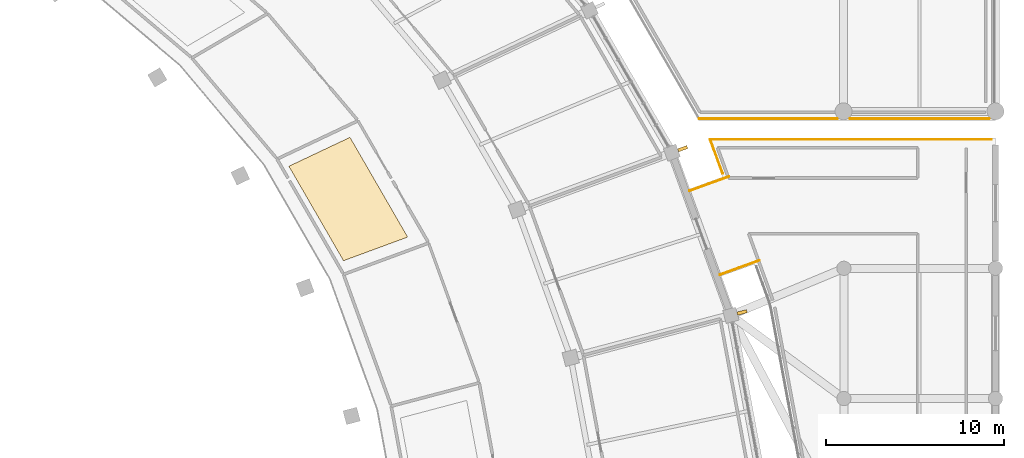
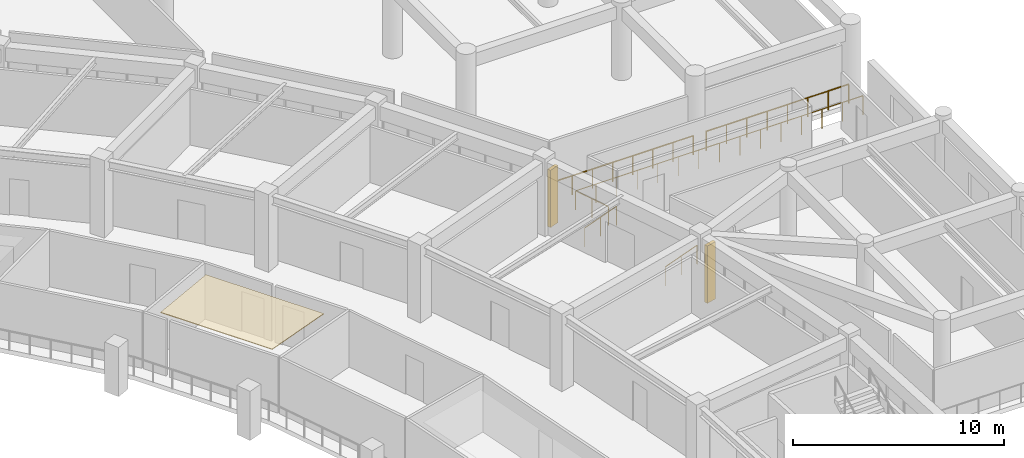
# One storey, part 131 of 141: 5 railings, 2 shading devices, 1 covering.
"""IFC4 building model written with IfcOpenShell, lengths in metres."""

from ifc_helpers import new_model, si_unit, direction, frame, origin, origin_2d, place, context, subcontext, project, spatial, polyline, rectangle, circle, outline, extrude, material, layer, layer_set, type_object, element, save


model = new_model("IFC4")

# Units and contexts
model_context = context("Model", 3, precision=1e-05, world=origin(), true_north=direction((0.0, 1.0)))
body_context = subcontext(model_context, "Body", "Model", "MODEL_VIEW")
ifc_project = project(units=[si_unit("LENGTHUNIT", "METRE"), si_unit("AREAUNIT", "SQUARE_METRE"), si_unit("VOLUMEUNIT", "CUBIC_METRE"), si_unit("PLANEANGLEUNIT", "RADIAN"), si_unit("MASSUNIT", "GRAM", prefix="KILO")], contexts=[model_context])

# Site, building, storey
site_placement = place(None, origin())
site = spatial("IfcSite", under=ifc_project, at=site_placement, CompositionType="ELEMENT")
building_placement = place(site_placement, origin())
building = spatial("IfcBuilding", under=site, at=building_placement, Name="Mphavela Belvedere Stadium", CompositionType="ELEMENT")
storey_placement = place(building_placement, frame((0.0, 0.0, 14.699951171875)))
storey = spatial("IfcBuildingStorey", under=building, at=storey_placement, Name="L03", CompositionType="ELEMENT", Elevation=14.699951171875)

# Covering
ifc_material_1 = material(Name="Perforated acoustic mineral ceiling tile")
ifc_layer = layer(ifc_material_1, 0.0400390625)
ifc_layer_set = layer_set([ifc_layer], Name="Perforated acoustic mineral ceiling tile")
covering_type = type_object("IfcCoveringType", Name="COV-CEILING-ACOUSTIC", PredefinedType="CEILING", material=ifc_layer_set)
covering_placement = place(storey_placement, frame((0.0, 0.0, 3.199951171875)))
element("IfcCovering", 1, at=covering_placement, inside=storey, type_object=covering_type, Name="Concourse acoustic ceiling L03-04", PredefinedType="CEILING", context=body_context, shape_type="SweptSolid", body=[
    extrude(outline(polyline([(193.44775390625, 116.62548828125), (190.385498046875, 121.92138671875), (193.810791015625, 123.542724609375), (197.044189453125, 117.950439453125), (193.44775390625, 116.62548828125)])), origin(), (0.0, 0.0, 1.0), 0.0400390625),
])

# Railings
ifc_material_2 = material(Name="Bronze and laminated glass stadium balustrade", Category="glass")
railing_type = type_object("IfcRailingType", Name="RAL-BALUSTRADE-1120", PredefinedType="BALUSTRADE", material=ifc_material_2)
railing_1_placement = place(storey_placement, frame((214.55078125, 115.840576171875, 0.0)))
element("IfcRailing", 2, at=railing_1_placement, inside=storey, type_object=railing_type, Name="Colonnade link bridge balustrade L03-03A", PredefinedType="BALUSTRADE", context=body_context, shape_type="SweptSolid", body=[
    extrude(circle(Radius=0.02392578125, at=origin_2d()), frame((0.0, 0.0, 1.09619140625), z_axis=(0.940078218368, 0.340958858734, 0.0), x_axis=(-0.340958858734, 0.940078218368, 0.0)), (0.0, 0.0, 1.0), 2.35009765625),
    extrude(circle(Radius=0.02099609375, at=origin_2d()), origin(), (0.0, 0.0, 1.0), 1.072021484375),
    extrude(circle(Radius=0.02099609375, at=origin_2d()), frame((1.1044921875, 0.400634765625, 0.0)), (0.0, 0.0, 1.0), 1.072021484375),
    extrude(circle(Radius=0.02099609375, at=origin_2d()), frame((2.209228515625, 0.80126953125, 0.0)), (0.0, 0.0, 1.0), 1.072021484375),
])
railing_2_placement = place(storey_placement, frame((212.845703125, 120.540771484375, 0.0)))
element("IfcRailing", 3, at=railing_2_placement, inside=storey, type_object=railing_type, Name="Colonnade link bridge balustrade L03-03B", PredefinedType="BALUSTRADE", context=body_context, shape_type="SweptSolid", body=[
    extrude(circle(Radius=0.02392578125, at=origin_2d()), frame((0.0, 0.0, 1.09619140625), z_axis=(0.940044916205, 0.341050664151, 0.0), x_axis=(-0.341050664151, 0.940044916205, 0.0)), (0.0, 0.0, 1.0), 2.35009765625),
    extrude(circle(Radius=0.02099609375, at=origin_2d()), origin(), (0.0, 0.0, 1.0), 1.072021484375),
    extrude(circle(Radius=0.02099609375, at=origin_2d()), frame((1.1044921875, 0.40087890625, 0.0)), (0.0, 0.0, 1.0), 1.072021484375),
    extrude(circle(Radius=0.02099609375, at=origin_2d()), frame((2.209228515625, 0.801513671875, 0.0)), (0.0, 0.0, 1.0), 1.072021484375),
])
railing_3_placement = place(storey_placement, frame((229.6455078125, 124.580078125, 0.0)))
element("IfcRailing", 4, at=railing_3_placement, inside=storey, type_object=railing_type, Name="Peristyle wing gallery edge balustrade L03-52", PredefinedType="BALUSTRADE", context=body_context, shape_type="SweptSolid", body=[
    extrude(circle(Radius=0.02392578125, at=origin_2d()), frame((0.0, 0.0, 1.09619140625), z_axis=(-1.0, 0.0, 0.0), x_axis=(0.0, -1.0, 0.0)), (0.0, 0.0, 1.0), 7.809814453125),
    extrude(circle(Radius=0.02099609375, at=origin_2d()), origin(), (0.0, 0.0, 1.0), 1.072021484375),
    extrude(circle(Radius=0.02099609375, at=origin_2d()), frame((-1.11572265625, 0.0, 0.0)), (0.0, 0.0, 1.0), 1.072021484375),
    extrude(circle(Radius=0.02099609375, at=origin_2d()), frame((-2.2314453125, 0.0, 0.0)), (0.0, 0.0, 1.0), 1.072021484375),
    extrude(circle(Radius=0.02099609375, at=origin_2d()), frame((-3.34716796875, 0.0, 0.0)), (0.0, 0.0, 1.0), 1.072021484375),
    extrude(circle(Radius=0.02099609375, at=origin_2d()), frame((-4.462646484375, 0.0, 0.0)), (0.0, 0.0, 1.0), 1.072021484375),
    extrude(circle(Radius=0.02099609375, at=origin_2d()), frame((-5.578369140625, 0.0, 0.0)), (0.0, 0.0, 1.0), 1.072021484375),
    extrude(circle(Radius=0.02099609375, at=origin_2d()), frame((-6.694091796875, 0.0, 0.0)), (0.0, 0.0, 1.0), 1.072021484375),
    extrude(circle(Radius=0.02099609375, at=origin_2d()), frame((-7.809814453125, 0.0, 0.0)), (0.0, 0.0, 1.0), 1.072021484375),
])
railing_4_placement = place(storey_placement, frame((221.12646484375, 124.580078125, 0.0)))
element("IfcRailing", 5, at=railing_4_placement, inside=storey, type_object=railing_type, Name="Peristyle wing gallery edge balustrade L03-53", PredefinedType="BALUSTRADE", context=body_context, shape_type="SweptSolid", body=[
    extrude(circle(Radius=0.02392578125, at=origin_2d()), frame((0.0, 0.0, 1.09619140625), z_axis=(-1.0, 0.0, 0.0), x_axis=(0.0, -1.0, 0.0)), (0.0, 0.0, 1.0), 7.73388671875),
    extrude(circle(Radius=0.02099609375, at=origin_2d()), origin(), (0.0, 0.0, 1.0), 1.072021484375),
    extrude(circle(Radius=0.02099609375, at=origin_2d()), frame((-1.104736328125, 0.0, 0.0)), (0.0, 0.0, 1.0), 1.072021484375),
    extrude(circle(Radius=0.02099609375, at=origin_2d()), frame((-2.209716796875, 0.0, 0.0)), (0.0, 0.0, 1.0), 1.072021484375),
    extrude(circle(Radius=0.02099609375, at=origin_2d()), frame((-3.314453125, 0.0, 0.0)), (0.0, 0.0, 1.0), 1.072021484375),
    extrude(circle(Radius=0.02099609375, at=origin_2d()), frame((-4.41943359375, 0.0, 0.0)), (0.0, 0.0, 1.0), 1.072021484375),
    extrude(circle(Radius=0.02099609375, at=origin_2d()), frame((-5.524169921875, 0.0, 0.0)), (0.0, 0.0, 1.0), 1.072021484375),
    extrude(circle(Radius=0.02099609375, at=origin_2d()), frame((-6.629150390625, 0.0, 0.0)), (0.0, 0.0, 1.0), 1.072021484375),
    extrude(circle(Radius=0.02099609375, at=origin_2d()), frame((-7.73388671875, 0.0, 0.0)), (0.0, 0.0, 1.0), 1.072021484375),
])
railing_5_placement = place(storey_placement, frame((214.705322265625, 121.51318359375, 0.0)))
element("IfcRailing", 6, at=railing_5_placement, inside=storey, type_object=railing_type, Name="Peristyle wing gallery edge balustrade L03-63", PredefinedType="BALUSTRADE", context=body_context, shape_type="SweptSolid", body=[
    extrude(circle(Radius=0.02392578125, at=origin_2d()), frame((0.0, 0.0, 1.09619140625), z_axis=(-0.342380499121, 0.939561383743, 0.0), x_axis=(-0.939561383743, -0.342380499121, 0.0)), (0.0, 0.0, 1.0), 2.029296875),
    extrude(circle(Radius=0.02392578125, at=origin_2d()), frame((-0.69482421875, 1.90673828125, 1.09619140625), z_axis=(1.0, 0.0, 0.0), x_axis=(0.0, 1.0, 0.0)), (0.0, 0.0, 1.0), 15.756103515625),
    extrude(circle(Radius=0.02099609375, at=origin_2d()), origin(), (0.0, 0.0, 1.0), 1.072021484375),
    extrude(circle(Radius=0.02099609375, at=origin_2d()), frame((-0.347412109375, 0.953369140625, 0.0)), (0.0, 0.0, 1.0), 1.072021484375),
    extrude(circle(Radius=0.02099609375, at=origin_2d()), frame((-0.69482421875, 1.90673828125, 0.0)), (0.0, 0.0, 1.0), 1.072021484375),
    extrude(circle(Radius=0.02099609375, at=origin_2d()), frame((0.4306640625, 1.90673828125, 0.0)), (0.0, 0.0, 1.0), 1.072021484375),
    extrude(circle(Radius=0.02099609375, at=origin_2d()), frame((1.55615234375, 1.90673828125, 0.0)), (0.0, 0.0, 1.0), 1.072021484375),
    extrude(circle(Radius=0.02099609375, at=origin_2d()), frame((2.681396484375, 1.90673828125, 0.0)), (0.0, 0.0, 1.0), 1.072021484375),
    extrude(circle(Radius=0.02099609375, at=origin_2d()), frame((3.806884765625, 1.90673828125, 0.0)), (0.0, 0.0, 1.0), 1.072021484375),
    extrude(circle(Radius=0.02099609375, at=origin_2d()), frame((4.932373046875, 1.90673828125, 0.0)), (0.0, 0.0, 1.0), 1.072021484375),
    extrude(circle(Radius=0.02099609375, at=origin_2d()), frame((6.057861328125, 1.90673828125, 0.0)), (0.0, 0.0, 1.0), 1.072021484375),
    extrude(circle(Radius=0.02099609375, at=origin_2d()), frame((7.18310546875, 1.90673828125, 0.0)), (0.0, 0.0, 1.0), 1.072021484375),
    extrude(circle(Radius=0.02099609375, at=origin_2d()), frame((8.30859375, 1.90673828125, 0.0)), (0.0, 0.0, 1.0), 1.072021484375),
    extrude(circle(Radius=0.02099609375, at=origin_2d()), frame((9.43408203125, 1.90673828125, 0.0)), (0.0, 0.0, 1.0), 1.072021484375),
    extrude(circle(Radius=0.02099609375, at=origin_2d()), frame((10.5595703125, 1.90673828125, 0.0)), (0.0, 0.0, 1.0), 1.072021484375),
    extrude(circle(Radius=0.02099609375, at=origin_2d()), frame((11.68505859375, 1.90673828125, 0.0)), (0.0, 0.0, 1.0), 1.072021484375),
    extrude(circle(Radius=0.02099609375, at=origin_2d()), frame((12.810302734375, 1.90673828125, 0.0)), (0.0, 0.0, 1.0), 1.072021484375),
    extrude(circle(Radius=0.02099609375, at=origin_2d()), frame((13.935791015625, 1.90673828125, 0.0)), (0.0, 0.0, 1.0), 1.072021484375),
    extrude(circle(Radius=0.02099609375, at=origin_2d()), frame((15.061279296875, 1.90673828125, 0.0)), (0.0, 0.0, 1.0), 1.072021484375),
])

# Shading devices
ifc_material_3 = material(Name="Honed limestone and bronze vertical brise-soleil fin", Category="masonry")
shading_device_type = type_object("IfcShadingDeviceType", Name="SHD-SOLAR-FIN", PredefinedType="USERDEFINED", material=ifc_material_3)
for number, where, z_axis, x_axis, name in (
    (7, (215.791015625, 113.728515625, 0.0), (0.0, 0.0, 1.0), (0.966600102017, 0.256289373133, 0.0), "Classical vertical solar brise-soleil fin L03-03"),
    (8, (212.464111328125, 122.90625, 0.0), (0.0, 0.0, 1.0), (0.938372433776, 0.34562577382, 0.0), "Classical vertical solar brise-soleil fin L03-04"),
):
    element("IfcShadingDevice", number, at=place(storey_placement, frame(where, z_axis=z_axis, x_axis=x_axis)), inside=storey, type_object=shading_device_type, Name=name, ObjectType="SOLAR FIN", PredefinedType="USERDEFINED", context=body_context, shape_type="SweptSolid", body=[
        extrude(rectangle(XDim=0.550048828125, YDim=0.179931640625, at=origin_2d()), origin(), (0.0, 0.0, 1.0), 3.320068359375),
    ])

save(model, "model.ifc")
